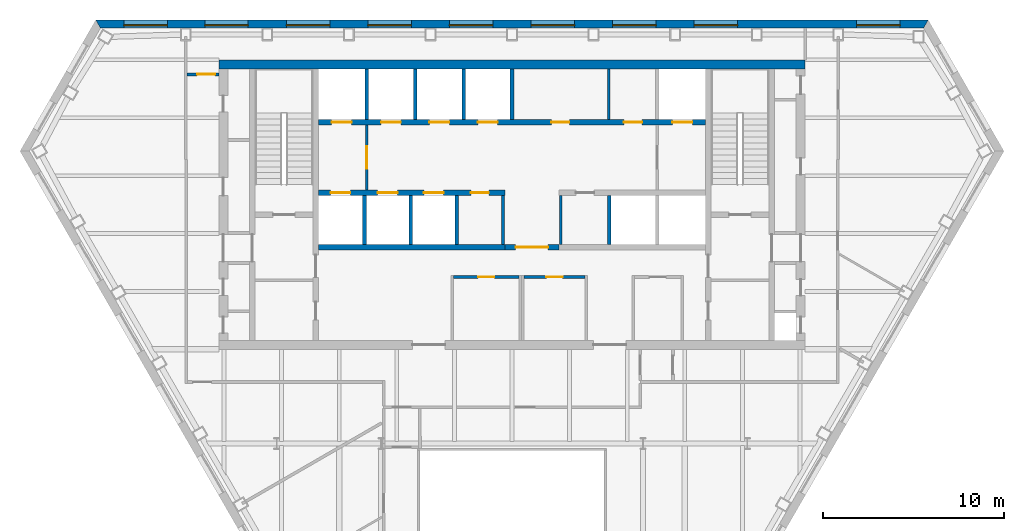
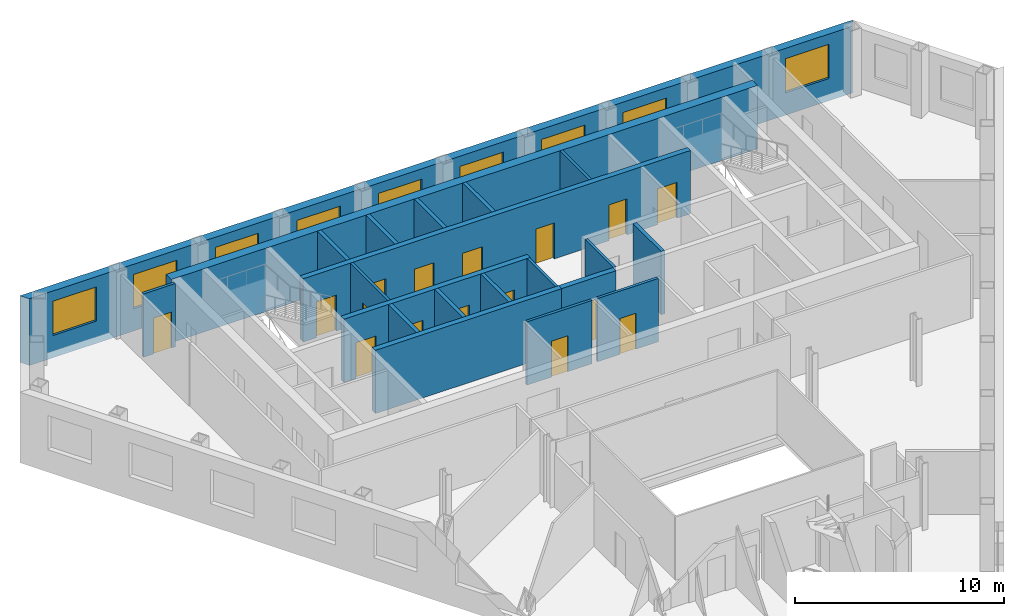
# One storey, part 6 of 10: 21 walls, 16 doors, 9 windows, 25 openings.
"""IFC4 building model written with IfcOpenShell, lengths in metres."""

from ifc_helpers import new_model, si_unit, direction, frame, frame_2d, origin, place, context, subcontext, project, spatial, polyline, rectangle, outline, extrude, material, layer, layer_set, type_object, element, fill, save


model = new_model("IFC4")

# Units and contexts
model_context = context("Model", 3, precision=1e-05, world=origin(), true_north=direction((0.0, 1.0)))
body_context = subcontext(model_context, "Body", "Model", "MODEL_VIEW")
ifc_project = project(units=[si_unit("LENGTHUNIT", "METRE"), si_unit("AREAUNIT", "SQUARE_METRE"), si_unit("VOLUMEUNIT", "CUBIC_METRE"), si_unit("PLANEANGLEUNIT", "RADIAN"), si_unit("MASSUNIT", "GRAM", prefix="KILO")], contexts=[model_context])

# Site, building, storey
site_placement = place(None, origin())
site = spatial("IfcSite", under=ifc_project, at=site_placement, CompositionType="ELEMENT")
building_placement = place(site_placement, origin())
building = spatial("IfcBuilding", under=site, at=building_placement, Name="Njiva Tower", CompositionType="ELEMENT")
storey_placement = place(building_placement, frame((0.0, 0.0, 171.0)))
storey = spatial("IfcBuildingStorey", under=building, at=storey_placement, Name="L37", CompositionType="ELEMENT", Elevation=171.0)

# Walls
ifc_material_1 = material(Name="Blockwork", Category="masonry")
ifc_layer_1 = layer(ifc_material_1, 0.15)
ifc_layer_set_1 = layer_set([ifc_layer_1], Name="Blockwork")
wall_type_1 = type_object("IfcWallType", Name="WT1 Compartment partition 150", PredefinedType="PARTITIONING", material=ifc_layer_set_1)
wall_1_placement = place(storey_placement, frame((5.35, 14.7, 0.0), z_axis=(0.0, 0.0, 1.0), x_axis=(0.0, 1.0, 0.0)))
element("IfcWall", 1, at=wall_1_placement, inside=storey, type_object=wall_type_1, Name="Partition CN6", PredefinedType="PARTITIONING", context=body_context, shape_type="SweptSolid", body=[
    extrude(rectangle(XDim=2.8, YDim=0.15, at=frame_2d((1.4, 0.0))), origin(), (0.0, 0.0, 1.0), 3.7),
])
for number, where, z_axis, x_axis, name in (
    (2, (-0.5, 7.8, 0.0), (0.0, 0.0, 1.0), (0.0, 1.0, 0.0), "Partition CS4"),
    (3, (2.7, 7.8, 0.0), (0.0, 0.0, 1.0), (0.0, 1.0, 0.0), "Partition CS5"),
):
    element("IfcWall", number, at=place(storey_placement, frame(where, z_axis=z_axis, x_axis=x_axis)), inside=storey, type_object=wall_type_1, Name=name, PredefinedType="PARTITIONING", context=body_context, shape_type="SweptSolid", body=[
        extrude(rectangle(XDim=2.7, YDim=0.15, at=frame_2d((1.35, 0.0))), origin(), (0.0, 0.0, 1.0), 3.7),
    ])

# Wall, opening, door
wall_2_placement = place(storey_placement, frame((-3.225, 6.0, 0.0), z_axis=(0.0, 0.0, 1.0), x_axis=(1.0, 0.0, 0.0)))
wall_2 = element("IfcWall", 4, at=wall_2_placement, inside=storey, type_object=wall_type_1, Name="First aid room wall north", PredefinedType="PARTITIONING", context=body_context, shape_type="SweptSolid", body=[
    extrude(rectangle(XDim=3.6, YDim=0.15, at=frame_2d((1.8, 0.0))), origin(), (0.0, 0.0, 1.0), 3.7),
])
opening_1_placement = place(wall_2_placement, frame((1.35, 0.0, 0.0)))
opening_1 = element("IfcOpeningElement", 5, at=opening_1_placement, cuts=wall_2, Name="Opening S12-D933", PredefinedType="OPENING", context=body_context, shape_type="SweptSolid", body=[
    extrude(rectangle(XDim=0.9, YDim=2.1, at=frame_2d((0.45, 1.05))), frame((0.0, 0.085, 0.0), z_axis=(0.0, -1.0, 0.0), x_axis=(1.0, 0.0, 0.0)), (0.0, 0.0, 1.0), 0.17),
])
ifc_material_2 = material(Name="Steel fire door, painted", Category="steel")
door_type_1 = type_object("IfcDoorType", Name="D6 Fire-rated door 900x2100", OperationType="SINGLE_SWING_LEFT", PredefinedType="DOOR", material=ifc_material_2)
door_1_placement = place(opening_1_placement, origin())
door_1 = element("IfcDoor", 6, at=door_1_placement, inside=storey, type_object=door_type_1, Name="First aid room door", OperationType="SINGLE_SWING_LEFT", OverallHeight=2.1, OverallWidth=0.9, PredefinedType="DOOR", context=body_context, shape_type="SweptSolid", body=[
    extrude(rectangle(XDim=0.9, YDim=2.1, at=frame_2d((0.45, 1.05))), frame((0.0, 0.025, 0.0), z_axis=(0.0, -1.0, 0.0), x_axis=(1.0, 0.0, 0.0)), (0.0, 0.0, 1.0), 0.05),
])
fill(opening_1, door_1)

wall_3_placement = place(storey_placement, frame((0.675, 6.0, 0.0), z_axis=(0.0, 0.0, 1.0), x_axis=(1.0, 0.0, 0.0)))
wall_3 = element("IfcWall", 7, at=wall_3_placement, inside=storey, type_object=wall_type_1, Name="Parcel room wall north", PredefinedType="PARTITIONING", context=body_context, shape_type="SweptSolid", body=[
    extrude(rectangle(XDim=3.35, YDim=0.15, at=frame_2d((1.675, 0.0))), origin(), (0.0, 0.0, 1.0), 3.7),
])
opening_2_placement = place(wall_3_placement, frame((1.225, 0.0, 0.0)))
opening_2 = element("IfcOpeningElement", 8, at=opening_2_placement, cuts=wall_3, Name="Opening S12-D934", PredefinedType="OPENING", context=body_context, shape_type="SweptSolid", body=[
    extrude(rectangle(XDim=0.9, YDim=2.1, at=frame_2d((0.45, 1.05))), frame((0.0, 0.085, 0.0), z_axis=(0.0, -1.0, 0.0), x_axis=(1.0, 0.0, 0.0)), (0.0, 0.0, 1.0), 0.17),
])
door_2_placement = place(opening_2_placement, origin())
door_2 = element("IfcDoor", 9, at=door_2_placement, inside=storey, type_object=door_type_1, Name="Parcel room door", OperationType="SINGLE_SWING_LEFT", OverallHeight=2.1, OverallWidth=0.9, PredefinedType="DOOR", context=body_context, shape_type="SweptSolid", body=[
    extrude(rectangle(XDim=0.9, YDim=2.1, at=frame_2d((0.45, 1.05))), frame((0.0, 0.025, 0.0), z_axis=(0.0, -1.0, 0.0), x_axis=(1.0, 0.0, 0.0)), (0.0, 0.0, 1.0), 0.05),
])
fill(opening_2, door_2)

# Wall
ifc_material_3 = material(Name="Concrete C60/75", Category="concrete")
ifc_layer_2 = layer(ifc_material_3, 0.5)
ifc_layer_set_2 = layer_set([ifc_layer_2], Name="Concrete C60/75")
wall_type_2 = type_object("IfcWallType", Name="WT13 Core wall 500", PredefinedType="SHEAR", material=ifc_layer_set_2)
wall_4_placement = place(storey_placement, frame((-16.2, 17.75, 0.0), z_axis=(0.0, 0.0, 1.0), x_axis=(1.0, 0.0, 0.0)))
element("IfcWall", 10, at=wall_4_placement, inside=storey, type_object=wall_type_2, Name="Core wall north", PredefinedType="SHEAR", context=body_context, shape_type="SweptSolid", body=[
    extrude(rectangle(XDim=32.4, YDim=0.5, at=frame_2d((16.2, 0.0))), origin(), (0.0, 0.0, 1.0), 3.7),
])

# Wall, opening, door
ifc_layer_3 = layer(ifc_material_1, 0.15)
ifc_layer_set_3 = layer_set([ifc_layer_3], Name="Blockwork")
wall_type_3 = type_object("IfcWallType", Name="WT2 Lobby partition 150", PredefinedType="PARTITIONING", material=ifc_layer_set_3)
wall_5_placement = place(storey_placement, frame((-8.025, 10.8, 0.0), z_axis=(0.0, 0.0, 1.0), x_axis=(0.0, 1.0, 0.0)))
wall_5 = element("IfcWall", 11, at=wall_5_placement, inside=storey, type_object=wall_type_3, Name="Firefighting lobby wall A", PredefinedType="PARTITIONING", context=body_context, shape_type="SweptSolid", body=[
    extrude(rectangle(XDim=3.6, YDim=0.15, at=frame_2d((1.8, 0.0))), origin(), (0.0, 0.0, 1.0), 3.7),
])
opening_3_placement = place(wall_5_placement, frame((1.175, 0.0, 0.0)))
opening_3 = element("IfcOpeningElement", 12, at=opening_3_placement, cuts=wall_5, Name="Opening S12-D913", PredefinedType="OPENING", context=body_context, shape_type="SweptSolid", body=[
    extrude(rectangle(XDim=1.25, YDim=2.1, at=frame_2d((0.625, 1.05))), frame((0.0, 0.085, 0.0), z_axis=(0.0, -1.0, 0.0), x_axis=(1.0, 0.0, 0.0)), (0.0, 0.0, 1.0), 0.17),
])
ifc_material_4 = material(Name="Glazed steel fire door", Category="steel")
door_type_2 = type_object("IfcDoorType", Name="D8 Vestibule corridor door 1250x2100 glazed", OperationType="SINGLE_SWING_LEFT", PredefinedType="DOOR", material=ifc_material_4)
door_3_placement = place(opening_3_placement, origin())
door_3 = element("IfcDoor", 13, at=door_3_placement, inside=storey, type_object=door_type_2, Name="Stair vestibule corridor door", OperationType="SINGLE_SWING_RIGHT", OverallHeight=2.1, OverallWidth=1.25, PredefinedType="DOOR", context=body_context, shape_type="SweptSolid", body=[
    extrude(rectangle(XDim=1.25, YDim=2.1, at=frame_2d((0.625, 1.05))), frame((0.0, 0.025, 0.0), z_axis=(0.0, -1.0, 0.0), x_axis=(1.0, 0.0, 0.0)), (0.0, 0.0, 1.0), 0.05),
])
fill(opening_3, door_3)

ifc_material_5 = material(Name="Gypsum board on steel studs", Category="gypsum")
ifc_layer_4 = layer(ifc_material_5, 0.15)
ifc_layer_set_4 = layer_set([ifc_layer_4], Name="Gypsum board on steel studs")
wall_type_4 = type_object("IfcWallType", Name="WT21 Compartment wall 150", PredefinedType="PARTITIONING", material=ifc_layer_set_4)
wall_6_placement = place(storey_placement, frame((-17.956, 17.193, 0.0), z_axis=(0.0, 0.0, 1.0), x_axis=(1.0, 0.0, 0.0)))
wall_6 = element("IfcWall", 14, at=wall_6_placement, inside=storey, type_object=wall_type_4, Name="Partition S12-P003", PredefinedType="PARTITIONING", context=body_context, shape_type="SweptSolid", body=[
    extrude(rectangle(XDim=1.756, YDim=0.15, at=frame_2d((0.878, 0.0))), origin(), (0.0, 0.0, 1.0), 3.7),
])
opening_4_placement = place(wall_6_placement, frame((0.556, 0.0, 0.0)))
opening_4 = element("IfcOpeningElement", 15, at=opening_4_placement, cuts=wall_6, Name="Opening S12-D001", PredefinedType="OPENING", context=body_context, shape_type="SweptSolid", body=[
    extrude(rectangle(XDim=1.0, YDim=2.1, at=frame_2d((0.5, 1.05))), frame((0.0, 0.085, 0.0), z_axis=(0.0, -1.0, 0.0), x_axis=(1.0, 0.0, 0.0)), (0.0, 0.0, 1.0), 0.17),
])
ifc_material_6 = material(Name="Steel fire door set", Category="steel")
door_type_3 = type_object("IfcDoorType", Name="D37 Fire door 1000x2100", OperationType="SINGLE_SWING_LEFT", PredefinedType="DOOR", material=ifc_material_6)
door_4_placement = place(opening_4_placement, origin())
door_4 = element("IfcDoor", 16, at=door_4_placement, inside=storey, type_object=door_type_3, Name="Door S12-D001", OperationType="SINGLE_SWING_LEFT", OverallHeight=2.1, OverallWidth=1.0, PredefinedType="DOOR", context=body_context, shape_type="SweptSolid", body=[
    extrude(rectangle(XDim=1.0, YDim=2.1, at=frame_2d((0.5, 1.05))), frame((0.0, 0.025, 0.0), z_axis=(0.0, -1.0, 0.0), x_axis=(1.0, 0.0, 0.0)), (0.0, 0.0, 1.0), 0.05),
])
fill(opening_4, door_4)

ifc_layer_5 = layer(ifc_material_1, 0.3)
ifc_layer_set_5 = layer_set([ifc_layer_5], Name="Blockwork")
wall_type_5 = type_object("IfcWallType", Name="WT5 Lobby partition 300", PredefinedType="PARTITIONING", material=ifc_layer_set_5)
wall_7_placement = place(storey_placement, frame((-0.4, 7.65, 0.0), z_axis=(0.0, 0.0, 1.0), x_axis=(1.0, 0.0, 0.0)))
wall_7 = element("IfcWall", 17, at=wall_7_placement, inside=storey, type_object=wall_type_5, Name="Lift lobby screen wall", PredefinedType="PARTITIONING", context=body_context, shape_type="SweptSolid", body=[
    extrude(rectangle(XDim=3.0, YDim=0.3, at=frame_2d((1.5, 0.0))), origin(), (0.0, 0.0, 1.0), 3.7),
])
opening_5_placement = place(wall_7_placement, frame((0.6, 0.0, 0.0)))
opening_5 = element("IfcOpeningElement", 18, at=opening_5_placement, cuts=wall_7, Name="Opening S12-D936", PredefinedType="OPENING", context=body_context, shape_type="SweptSolid", body=[
    extrude(rectangle(XDim=1.8, YDim=2.4, at=frame_2d((0.9, 1.2))), frame((0.0, 0.16, 0.0), z_axis=(0.0, -1.0, 0.0), x_axis=(1.0, 0.0, 0.0)), (0.0, 0.0, 1.0), 0.32),
])
ifc_material_7 = material(Name="Steel and glass door", Category="steel")
door_type_4 = type_object("IfcDoorType", Name="D3 Core entrance door 1800x2400", OperationType="DOUBLE_DOOR_SINGLE_SWING", PredefinedType="DOOR", material=ifc_material_7)
door_5_placement = place(opening_5_placement, origin())
door_5 = element("IfcDoor", 19, at=door_5_placement, inside=storey, type_object=door_type_4, Name="Core entrance door", OperationType="DOUBLE_DOOR_SINGLE_SWING", OverallHeight=2.4, OverallWidth=1.8, PredefinedType="DOOR", context=body_context, shape_type="SweptSolid", body=[
    extrude(rectangle(XDim=1.8, YDim=2.4, at=frame_2d((0.9, 1.2))), frame((0.0, 0.025, 0.0), z_axis=(0.0, -1.0, 0.0), x_axis=(1.0, 0.0, 0.0)), (0.0, 0.0, 1.0), 0.05),
])
fill(opening_5, door_5)

# Walls
ifc_material_8 = material(Name="Concrete C40/50", Category="concrete")
ifc_layer_6 = layer(ifc_material_8, 0.2)
ifc_layer_set_6 = layer_set([ifc_layer_6], Name="Concrete C40/50")
wall_type_6 = type_object("IfcWallType", Name="WT6 Lift shaft wall 200", PredefinedType="SHEAR", material=ifc_layer_set_6)
for number, where, z_axis, x_axis, name in (
    (20, (-8.025, 14.7, 0.0), (0.0, 0.0, 1.0), (0.0, 1.0, 0.0), "Shaft wall CN1"),
    (21, (-5.35, 14.7, 0.0), (0.0, 0.0, 1.0), (0.0, 1.0, 0.0), "Shaft wall CN2"),
    (22, (-2.675, 14.7, 0.0), (0.0, 0.0, 1.0), (0.0, 1.0, 0.0), "Shaft wall CN3"),
    (23, (0.0, 14.7, 0.0), (0.0, 0.0, 1.0), (0.0, 1.0, 0.0), "Shaft wall CN4"),
):
    element("IfcWall", number, at=place(storey_placement, frame(where, z_axis=z_axis, x_axis=x_axis)), inside=storey, type_object=wall_type_6, Name=name, PredefinedType="SHEAR", context=body_context, shape_type="SweptSolid", body=[
        extrude(rectangle(XDim=2.8, YDim=0.2, at=frame_2d((1.4, 0.0))), origin(), (0.0, 0.0, 1.0), 3.7),
    ])
for number, where, z_axis, x_axis, name in (
    (24, (-8.15, 7.8, 0.0), (0.0, 0.0, 1.0), (0.0, 1.0, 0.0), "Shaft wall CS1"),
    (25, (-5.6, 7.8, 0.0), (0.0, 0.0, 1.0), (0.0, 1.0, 0.0), "Shaft wall CS2"),
    (26, (-3.05, 7.8, 0.0), (0.0, 0.0, 1.0), (0.0, 1.0, 0.0), "Shaft wall CS3"),
    (27, (5.3667, 7.8, 0.0), (0.0, 0.0, 1.0), (0.0, 1.0, 0.0), "Shaft wall CS6"),
):
    element("IfcWall", number, at=place(storey_placement, frame(where, z_axis=z_axis, x_axis=x_axis)), inside=storey, type_object=wall_type_6, Name=name, PredefinedType="SHEAR", context=body_context, shape_type="SweptSolid", body=[
        extrude(rectangle(XDim=2.7, YDim=0.2, at=frame_2d((1.35, 0.0))), origin(), (0.0, 0.0, 1.0), 3.7),
    ])

# Wall, openings, doors
ifc_layer_7 = layer(ifc_material_8, 0.3)
ifc_layer_set_7 = layer_set([ifc_layer_7], Name="Concrete C40/50")
wall_type_7 = type_object("IfcWallType", Name="WT7 Lift shaft wall 300", PredefinedType="SHEAR", material=ifc_layer_set_7)
wall_8_placement = place(storey_placement, frame((-10.7, 14.55, 0.0), z_axis=(0.0, 0.0, 1.0), x_axis=(1.0, 0.0, 0.0)))
wall_8 = element("IfcWall", 28, at=wall_8_placement, inside=storey, type_object=wall_type_7, Name="Shaft wall north row lobby side", PredefinedType="SHEAR", context=body_context, shape_type="SweptSolid", body=[
    extrude(rectangle(XDim=21.4, YDim=0.3, at=frame_2d((10.7, 0.0))), origin(), (0.0, 0.0, 1.0), 3.7),
])
opening_6_placement = place(wall_8_placement, frame((0.7375, 0.0, 0.0)))
opening_6 = element("IfcOpeningElement", 29, at=opening_6_placement, cuts=wall_8, Name="Opening S12-D901", PredefinedType="OPENING", context=body_context, shape_type="SweptSolid", body=[
    extrude(rectangle(XDim=1.1, YDim=2.1, at=frame_2d((0.55, 1.05))), frame((0.0, 0.16, 0.0), z_axis=(0.0, -1.0, 0.0), x_axis=(1.0, 0.0, 0.0)), (0.0, 0.0, 1.0), 0.32),
])
opening_7_placement = place(wall_8_placement, frame((3.4625, 0.0, 0.0)))
opening_7 = element("IfcOpeningElement", 30, at=opening_7_placement, cuts=wall_8, Name="Opening S12-D902", PredefinedType="OPENING", context=body_context, shape_type="SweptSolid", body=[
    extrude(rectangle(XDim=1.1, YDim=2.1, at=frame_2d((0.55, 1.05))), frame((0.0, 0.16, 0.0), z_axis=(0.0, -1.0, 0.0), x_axis=(1.0, 0.0, 0.0)), (0.0, 0.0, 1.0), 0.32),
])
opening_8_placement = place(wall_8_placement, frame((6.1375, 0.0, 0.0)))
opening_8 = element("IfcOpeningElement", 31, at=opening_8_placement, cuts=wall_8, Name="Opening S12-D903", PredefinedType="OPENING", context=body_context, shape_type="SweptSolid", body=[
    extrude(rectangle(XDim=1.1, YDim=2.1, at=frame_2d((0.55, 1.05))), frame((0.0, 0.16, 0.0), z_axis=(0.0, -1.0, 0.0), x_axis=(1.0, 0.0, 0.0)), (0.0, 0.0, 1.0), 0.32),
])
opening_9_placement = place(wall_8_placement, frame((8.8125, 0.0, 0.0)))
opening_9 = element("IfcOpeningElement", 32, at=opening_9_placement, cuts=wall_8, Name="Opening S12-D904", PredefinedType="OPENING", context=body_context, shape_type="SweptSolid", body=[
    extrude(rectangle(XDim=1.1, YDim=2.1, at=frame_2d((0.55, 1.05))), frame((0.0, 0.16, 0.0), z_axis=(0.0, -1.0, 0.0), x_axis=(1.0, 0.0, 0.0)), (0.0, 0.0, 1.0), 0.32),
])
opening_10_placement = place(wall_8_placement, frame((19.5625, 0.0, 0.0)))
opening_10 = element("IfcOpeningElement", 33, at=opening_10_placement, cuts=wall_8, Name="Opening S12-D905", PredefinedType="OPENING", context=body_context, shape_type="SweptSolid", body=[
    extrude(rectangle(XDim=1.1, YDim=2.1, at=frame_2d((0.55, 1.05))), frame((0.0, 0.16, 0.0), z_axis=(0.0, -1.0, 0.0), x_axis=(1.0, 0.0, 0.0)), (0.0, 0.0, 1.0), 0.32),
])
opening_11_placement = place(wall_8_placement, frame((12.875, 0.0, 0.0)))
opening_11 = element("IfcOpeningElement", 34, at=opening_11_placement, cuts=wall_8, Name="Opening S12-D909", PredefinedType="OPENING", context=body_context, shape_type="SweptSolid", body=[
    extrude(rectangle(XDim=1.0, YDim=2.1, at=frame_2d((0.5, 1.05))), frame((0.0, 0.16, 0.0), z_axis=(0.0, -1.0, 0.0), x_axis=(1.0, 0.0, 0.0)), (0.0, 0.0, 1.0), 0.32),
])
opening_12_placement = place(wall_8_placement, frame((16.8875, 0.0, 0.0)))
opening_12 = element("IfcOpeningElement", 35, at=opening_12_placement, cuts=wall_8, Name="Opening S12-D910", PredefinedType="OPENING", context=body_context, shape_type="SweptSolid", body=[
    extrude(rectangle(XDim=1.0, YDim=2.1, at=frame_2d((0.5, 1.05))), frame((0.0, 0.16, 0.0), z_axis=(0.0, -1.0, 0.0), x_axis=(1.0, 0.0, 0.0)), (0.0, 0.0, 1.0), 0.32),
])
ifc_material_9 = material(Name="Steel door, painted", Category="steel")
door_type_5 = type_object("IfcDoorType", Name="D5 Steel door 1000x2100", OperationType="SINGLE_SWING_LEFT", PredefinedType="DOOR", material=ifc_material_9)
door_6_placement = place(opening_11_placement, origin())
door_6 = element("IfcDoor", 36, at=door_6_placement, inside=storey, type_object=door_type_5, Name="Breakout room door", OperationType="SINGLE_SWING_LEFT", OverallHeight=2.1, OverallWidth=1.0, PredefinedType="DOOR", context=body_context, shape_type="SweptSolid", body=[
    extrude(rectangle(XDim=1.0, YDim=2.1, at=frame_2d((0.5, 1.05))), frame((0.0, 0.025, 0.0), z_axis=(0.0, -1.0, 0.0), x_axis=(1.0, 0.0, 0.0)), (0.0, 0.0, 1.0), 0.05),
])
fill(opening_11, door_6)
door_7_placement = place(opening_12_placement, origin())
door_7 = element("IfcDoor", 37, at=door_7_placement, inside=storey, type_object=door_type_5, Name="Quiet room door", OperationType="SINGLE_SWING_LEFT", OverallHeight=2.1, OverallWidth=1.0, PredefinedType="DOOR", context=body_context, shape_type="SweptSolid", body=[
    extrude(rectangle(XDim=1.0, YDim=2.1, at=frame_2d((0.5, 1.05))), frame((0.0, 0.025, 0.0), z_axis=(0.0, -1.0, 0.0), x_axis=(1.0, 0.0, 0.0)), (0.0, 0.0, 1.0), 0.05),
])
fill(opening_12, door_7)
ifc_material_10 = material(Name="Stainless steel sliding door", Category="steel")
door_type_6 = type_object("IfcDoorType", Name="LD Lift landing door 1100x2100", OperationType="SLIDING_TO_LEFT", PredefinedType="DOOR", material=ifc_material_10)
door_8_placement = place(opening_6_placement, origin())
door_8 = element("IfcDoor", 38, at=door_8_placement, inside=storey, type_object=door_type_6, Name="Lift landing door FF1", OperationType="SLIDING_TO_LEFT", OverallHeight=2.1, OverallWidth=1.1, PredefinedType="DOOR", context=body_context, shape_type="SweptSolid", body=[
    extrude(rectangle(XDim=1.1, YDim=2.1, at=frame_2d((0.55, 1.05))), frame((0.0, 0.025, 0.0), z_axis=(0.0, -1.0, 0.0), x_axis=(1.0, 0.0, 0.0)), (0.0, 0.0, 1.0), 0.05),
])
fill(opening_6, door_8)
door_9_placement = place(opening_7_placement, origin())
door_9 = element("IfcDoor", 39, at=door_9_placement, inside=storey, type_object=door_type_6, Name="Lift landing door MB4", OperationType="SLIDING_TO_LEFT", OverallHeight=2.1, OverallWidth=1.1, PredefinedType="DOOR", context=body_context, shape_type="SweptSolid", body=[
    extrude(rectangle(XDim=1.1, YDim=2.1, at=frame_2d((0.55, 1.05))), frame((0.0, 0.025, 0.0), z_axis=(0.0, -1.0, 0.0), x_axis=(1.0, 0.0, 0.0)), (0.0, 0.0, 1.0), 0.05),
])
fill(opening_7, door_9)
door_10_placement = place(opening_8_placement, origin())
door_10 = element("IfcDoor", 40, at=door_10_placement, inside=storey, type_object=door_type_6, Name="Lift landing door MB5", OperationType="SLIDING_TO_LEFT", OverallHeight=2.1, OverallWidth=1.1, PredefinedType="DOOR", context=body_context, shape_type="SweptSolid", body=[
    extrude(rectangle(XDim=1.1, YDim=2.1, at=frame_2d((0.55, 1.05))), frame((0.0, 0.025, 0.0), z_axis=(0.0, -1.0, 0.0), x_axis=(1.0, 0.0, 0.0)), (0.0, 0.0, 1.0), 0.05),
])
fill(opening_8, door_10)
door_11_placement = place(opening_9_placement, origin())
door_11 = element("IfcDoor", 41, at=door_11_placement, inside=storey, type_object=door_type_6, Name="Lift landing door MB6", OperationType="SLIDING_TO_LEFT", OverallHeight=2.1, OverallWidth=1.1, PredefinedType="DOOR", context=body_context, shape_type="SweptSolid", body=[
    extrude(rectangle(XDim=1.1, YDim=2.1, at=frame_2d((0.55, 1.05))), frame((0.0, 0.025, 0.0), z_axis=(0.0, -1.0, 0.0), x_axis=(1.0, 0.0, 0.0)), (0.0, 0.0, 1.0), 0.05),
])
fill(opening_9, door_11)
door_12_placement = place(opening_10_placement, origin())
door_12 = element("IfcDoor", 42, at=door_12_placement, inside=storey, type_object=door_type_6, Name="Lift landing door FF2", OperationType="SLIDING_TO_LEFT", OverallHeight=2.1, OverallWidth=1.1, PredefinedType="DOOR", context=body_context, shape_type="SweptSolid", body=[
    extrude(rectangle(XDim=1.1, YDim=2.1, at=frame_2d((0.55, 1.05))), frame((0.0, 0.025, 0.0), z_axis=(0.0, -1.0, 0.0), x_axis=(1.0, 0.0, 0.0)), (0.0, 0.0, 1.0), 0.05),
])
fill(opening_10, door_12)

wall_9_placement = place(storey_placement, frame((-10.7, 10.65, 0.0), z_axis=(0.0, 0.0, 1.0), x_axis=(1.0, 0.0, 0.0)))
wall_9 = element("IfcWall", 43, at=wall_9_placement, inside=storey, type_object=wall_type_7, Name="Shaft wall south row lobby side W", PredefinedType="SHEAR", context=body_context, shape_type="SweptSolid", body=[
    extrude(rectangle(XDim=10.3, YDim=0.3, at=frame_2d((5.15, 0.0))), origin(), (0.0, 0.0, 1.0), 3.7),
])
opening_13_placement = place(wall_9_placement, frame((0.675, 0.0, 0.0)))
opening_13 = element("IfcOpeningElement", 44, at=opening_13_placement, cuts=wall_9, Name="Opening S12-D906", PredefinedType="OPENING", context=body_context, shape_type="SweptSolid", body=[
    extrude(rectangle(XDim=1.1, YDim=2.1, at=frame_2d((0.55, 1.05))), frame((0.0, 0.16, 0.0), z_axis=(0.0, -1.0, 0.0), x_axis=(1.0, 0.0, 0.0)), (0.0, 0.0, 1.0), 0.32),
])
opening_14_placement = place(wall_9_placement, frame((3.275, 0.0, 0.0)))
opening_14 = element("IfcOpeningElement", 45, at=opening_14_placement, cuts=wall_9, Name="Opening S12-D907", PredefinedType="OPENING", context=body_context, shape_type="SweptSolid", body=[
    extrude(rectangle(XDim=1.1, YDim=2.1, at=frame_2d((0.55, 1.05))), frame((0.0, 0.16, 0.0), z_axis=(0.0, -1.0, 0.0), x_axis=(1.0, 0.0, 0.0)), (0.0, 0.0, 1.0), 0.32),
])
opening_15_placement = place(wall_9_placement, frame((5.825, 0.0, 0.0)))
opening_15 = element("IfcOpeningElement", 46, at=opening_15_placement, cuts=wall_9, Name="Opening S12-D908", PredefinedType="OPENING", context=body_context, shape_type="SweptSolid", body=[
    extrude(rectangle(XDim=1.1, YDim=2.1, at=frame_2d((0.55, 1.05))), frame((0.0, 0.16, 0.0), z_axis=(0.0, -1.0, 0.0), x_axis=(1.0, 0.0, 0.0)), (0.0, 0.0, 1.0), 0.32),
])
opening_16_placement = place(wall_9_placement, frame((8.425, 0.0, 0.0)))
opening_16 = element("IfcOpeningElement", 47, at=opening_16_placement, cuts=wall_9, Name="Opening S12-D911", PredefinedType="OPENING", context=body_context, shape_type="SweptSolid", body=[
    extrude(rectangle(XDim=1.0, YDim=2.1, at=frame_2d((0.5, 1.05))), frame((0.0, 0.16, 0.0), z_axis=(0.0, -1.0, 0.0), x_axis=(1.0, 0.0, 0.0)), (0.0, 0.0, 1.0), 0.32),
])
door_13_placement = place(opening_16_placement, origin())
door_13 = element("IfcDoor", 48, at=door_13_placement, inside=storey, type_object=door_type_5, Name="Reading room door", OperationType="SINGLE_SWING_RIGHT", OverallHeight=2.1, OverallWidth=1.0, PredefinedType="DOOR", context=body_context, shape_type="SweptSolid", body=[
    extrude(rectangle(XDim=1.0, YDim=2.1, at=frame_2d((0.5, 1.05))), frame((0.0, 0.025, 0.0), z_axis=(0.0, -1.0, 0.0), x_axis=(1.0, 0.0, 0.0)), (0.0, 0.0, 1.0), 0.05),
])
fill(opening_16, door_13)
door_14_placement = place(opening_13_placement, origin())
door_14 = element("IfcDoor", 49, at=door_14_placement, inside=storey, type_object=door_type_6, Name="Lift landing door MB1", OperationType="SLIDING_TO_LEFT", OverallHeight=2.1, OverallWidth=1.1, PredefinedType="DOOR", context=body_context, shape_type="SweptSolid", body=[
    extrude(rectangle(XDim=1.1, YDim=2.1, at=frame_2d((0.55, 1.05))), frame((0.0, 0.025, 0.0), z_axis=(0.0, -1.0, 0.0), x_axis=(1.0, 0.0, 0.0)), (0.0, 0.0, 1.0), 0.05),
])
fill(opening_13, door_14)
door_15_placement = place(opening_14_placement, origin())
door_15 = element("IfcDoor", 50, at=door_15_placement, inside=storey, type_object=door_type_6, Name="Lift landing door MB2", OperationType="SLIDING_TO_LEFT", OverallHeight=2.1, OverallWidth=1.1, PredefinedType="DOOR", context=body_context, shape_type="SweptSolid", body=[
    extrude(rectangle(XDim=1.1, YDim=2.1, at=frame_2d((0.55, 1.05))), frame((0.0, 0.025, 0.0), z_axis=(0.0, -1.0, 0.0), x_axis=(1.0, 0.0, 0.0)), (0.0, 0.0, 1.0), 0.05),
])
fill(opening_14, door_15)
door_16_placement = place(opening_15_placement, origin())
door_16 = element("IfcDoor", 51, at=door_16_placement, inside=storey, type_object=door_type_6, Name="Lift landing door MB3", OperationType="SLIDING_TO_LEFT", OverallHeight=2.1, OverallWidth=1.1, PredefinedType="DOOR", context=body_context, shape_type="SweptSolid", body=[
    extrude(rectangle(XDim=1.1, YDim=2.1, at=frame_2d((0.55, 1.05))), frame((0.0, 0.025, 0.0), z_axis=(0.0, -1.0, 0.0), x_axis=(1.0, 0.0, 0.0)), (0.0, 0.0, 1.0), 0.05),
])
fill(opening_15, door_16)

# Wall
wall_10_placement = place(storey_placement, frame((-10.7, 7.65, 0.0), z_axis=(0.0, 0.0, 1.0), x_axis=(1.0, 0.0, 0.0)))
element("IfcWall", 52, at=wall_10_placement, inside=storey, type_object=wall_type_7, Name="Shaft wall south row back W", PredefinedType="SHEAR", context=body_context, shape_type="SweptSolid", body=[
    extrude(rectangle(XDim=10.3, YDim=0.3, at=frame_2d((5.15, 0.0))), origin(), (0.0, 0.0, 1.0), 3.7),
])

# Wall, openings, windows
ifc_material_11 = material(Name="Brick masonry", Category="masonry")
ifc_layer_8 = layer(ifc_material_11, 0.45)
ifc_layer_set_8 = layer_set([ifc_layer_8], Name="Brick masonry")
wall_type_8 = type_object("IfcWallType", Name="WT90 Brick pier and spandrel wall 450", PredefinedType="SOLIDWALL", material=ifc_layer_set_8)
wall_11_placement = place(storey_placement, frame((22.8701, 19.975, -0.4), z_axis=(0.0, 0.0, 1.0), x_axis=(-1.0, 0.0, 0.0)))
wall_11 = element("IfcWall", 53, at=wall_11_placement, inside=storey, type_object=wall_type_8, Name="Facade wall N", PredefinedType="SOLIDWALL", context=body_context, shape_type="SweptSolid", body=[
    extrude(outline(polyline([(-0.1299, -0.225), (45.8701, -0.225), (45.6103, 0.225), (0.1299, 0.225), (-0.1299, -0.225)])), origin(), (0.0, 0.0, 1.0), 3.9),
])
opening_17_placement = place(wall_11_placement, frame((1.4242, 0.0, 1.3)))
opening_17 = element("IfcOpeningElement", 54, at=opening_17_placement, cuts=wall_11, Name="Opening S12-W01", PredefinedType="OPENING", context=body_context, shape_type="SweptSolid", body=[
    extrude(rectangle(XDim=2.4, YDim=2.0, at=frame_2d((1.2, 1.0))), frame((0.0, 0.235, 0.0), z_axis=(0.0, -1.0, 0.0), x_axis=(1.0, 0.0, 0.0)), (0.0, 0.0, 1.0), 0.47),
])
opening_18_placement = place(wall_11_placement, frame((10.401, 0.0, 1.3)))
opening_18 = element("IfcOpeningElement", 55, at=opening_18_placement, cuts=wall_11, Name="Opening S12-W02", PredefinedType="OPENING", context=body_context, shape_type="SweptSolid", body=[
    extrude(rectangle(XDim=2.4, YDim=2.0, at=frame_2d((1.2, 1.0))), frame((0.0, 0.235, 0.0), z_axis=(0.0, -1.0, 0.0), x_axis=(1.0, 0.0, 0.0)), (0.0, 0.0, 1.0), 0.47),
])
opening_19_placement = place(wall_11_placement, frame((14.9087, 0.0, 1.3)))
opening_19 = element("IfcOpeningElement", 56, at=opening_19_placement, cuts=wall_11, Name="Opening S12-W03", PredefinedType="OPENING", context=body_context, shape_type="SweptSolid", body=[
    extrude(rectangle(XDim=2.4, YDim=2.0, at=frame_2d((1.2, 1.0))), frame((0.0, 0.235, 0.0), z_axis=(0.0, -1.0, 0.0), x_axis=(1.0, 0.0, 0.0)), (0.0, 0.0, 1.0), 0.47),
])
opening_20_placement = place(wall_11_placement, frame((19.4163, 0.0, 1.3)))
opening_20 = element("IfcOpeningElement", 57, at=opening_20_placement, cuts=wall_11, Name="Opening S12-W04", PredefinedType="OPENING", context=body_context, shape_type="SweptSolid", body=[
    extrude(rectangle(XDim=2.4, YDim=2.0, at=frame_2d((1.2, 1.0))), frame((0.0, 0.235, 0.0), z_axis=(0.0, -1.0, 0.0), x_axis=(1.0, 0.0, 0.0)), (0.0, 0.0, 1.0), 0.47),
])
opening_21_placement = place(wall_11_placement, frame((23.9239, 0.0, 1.3)))
opening_21 = element("IfcOpeningElement", 58, at=opening_21_placement, cuts=wall_11, Name="Opening S12-W05", PredefinedType="OPENING", context=body_context, shape_type="SweptSolid", body=[
    extrude(rectangle(XDim=2.4, YDim=2.0, at=frame_2d((1.2, 1.0))), frame((0.0, 0.235, 0.0), z_axis=(0.0, -1.0, 0.0), x_axis=(1.0, 0.0, 0.0)), (0.0, 0.0, 1.0), 0.47),
])
opening_22_placement = place(wall_11_placement, frame((28.4315, 0.0, 1.3)))
opening_22 = element("IfcOpeningElement", 59, at=opening_22_placement, cuts=wall_11, Name="Opening S12-W06", PredefinedType="OPENING", context=body_context, shape_type="SweptSolid", body=[
    extrude(rectangle(XDim=2.4, YDim=2.0, at=frame_2d((1.2, 1.0))), frame((0.0, 0.235, 0.0), z_axis=(0.0, -1.0, 0.0), x_axis=(1.0, 0.0, 0.0)), (0.0, 0.0, 1.0), 0.47),
])
opening_23_placement = place(wall_11_placement, frame((32.9391, 0.0, 1.3)))
opening_23 = element("IfcOpeningElement", 60, at=opening_23_placement, cuts=wall_11, Name="Opening S12-W07", PredefinedType="OPENING", context=body_context, shape_type="SweptSolid", body=[
    extrude(rectangle(XDim=2.4, YDim=2.0, at=frame_2d((1.2, 1.0))), frame((0.0, 0.235, 0.0), z_axis=(0.0, -1.0, 0.0), x_axis=(1.0, 0.0, 0.0)), (0.0, 0.0, 1.0), 0.47),
])
opening_24_placement = place(wall_11_placement, frame((37.4468, 0.0, 1.3)))
opening_24 = element("IfcOpeningElement", 61, at=opening_24_placement, cuts=wall_11, Name="Opening S12-W08", PredefinedType="OPENING", context=body_context, shape_type="SweptSolid", body=[
    extrude(rectangle(XDim=2.4, YDim=2.0, at=frame_2d((1.2, 1.0))), frame((0.0, 0.235, 0.0), z_axis=(0.0, -1.0, 0.0), x_axis=(1.0, 0.0, 0.0)), (0.0, 0.0, 1.0), 0.47),
])
opening_25_placement = place(wall_11_placement, frame((41.916, 0.0, 1.3)))
opening_25 = element("IfcOpeningElement", 62, at=opening_25_placement, cuts=wall_11, Name="Opening S12-W09", PredefinedType="OPENING", context=body_context, shape_type="SweptSolid", body=[
    extrude(rectangle(XDim=2.4, YDim=2.0, at=frame_2d((1.2, 1.0))), frame((0.0, 0.235, 0.0), z_axis=(0.0, -1.0, 0.0), x_axis=(1.0, 0.0, 0.0)), (0.0, 0.0, 1.0), 0.47),
])
ifc_material_12 = material(Name="Clear glazing in aluminium frame", Category="aluminium")
window_type = type_object("IfcWindowType", Name="W90 Deep-set window 2400x2000", PartitioningType="SINGLE_PANEL", PredefinedType="WINDOW", material=ifc_material_12)
window_1_placement = place(opening_17_placement, origin())
window_1 = element("IfcWindow", 63, at=window_1_placement, inside=storey, type_object=window_type, Name="Window", OverallHeight=2.0, OverallWidth=2.4, PartitioningType="SINGLE_PANEL", PredefinedType="WINDOW", context=body_context, shape_type="SweptSolid", body=[
    extrude(rectangle(XDim=2.4, YDim=2.0, at=frame_2d((1.2, 1.0))), frame((0.0, 0.105, 0.0), z_axis=(0.0, -1.0, 0.0), x_axis=(1.0, 0.0, 0.0)), (0.0, 0.0, 1.0), 0.06),
])
fill(opening_17, window_1)
window_2_placement = place(opening_18_placement, origin())
window_2 = element("IfcWindow", 64, at=window_2_placement, inside=storey, type_object=window_type, Name="Window", OverallHeight=2.0, OverallWidth=2.4, PartitioningType="SINGLE_PANEL", PredefinedType="WINDOW", context=body_context, shape_type="SweptSolid", body=[
    extrude(rectangle(XDim=2.4, YDim=2.0, at=frame_2d((1.2, 1.0))), frame((0.0, 0.105, 0.0), z_axis=(0.0, -1.0, 0.0), x_axis=(1.0, 0.0, 0.0)), (0.0, 0.0, 1.0), 0.06),
])
fill(opening_18, window_2)
window_3_placement = place(opening_19_placement, origin())
window_3 = element("IfcWindow", 65, at=window_3_placement, inside=storey, type_object=window_type, Name="Window", OverallHeight=2.0, OverallWidth=2.4, PartitioningType="SINGLE_PANEL", PredefinedType="WINDOW", context=body_context, shape_type="SweptSolid", body=[
    extrude(rectangle(XDim=2.4, YDim=2.0, at=frame_2d((1.2, 1.0))), frame((0.0, 0.105, 0.0), z_axis=(0.0, -1.0, 0.0), x_axis=(1.0, 0.0, 0.0)), (0.0, 0.0, 1.0), 0.06),
])
fill(opening_19, window_3)
window_4_placement = place(opening_20_placement, origin())
window_4 = element("IfcWindow", 66, at=window_4_placement, inside=storey, type_object=window_type, Name="Window", OverallHeight=2.0, OverallWidth=2.4, PartitioningType="SINGLE_PANEL", PredefinedType="WINDOW", context=body_context, shape_type="SweptSolid", body=[
    extrude(rectangle(XDim=2.4, YDim=2.0, at=frame_2d((1.2, 1.0))), frame((0.0, 0.105, 0.0), z_axis=(0.0, -1.0, 0.0), x_axis=(1.0, 0.0, 0.0)), (0.0, 0.0, 1.0), 0.06),
])
fill(opening_20, window_4)
window_5_placement = place(opening_21_placement, origin())
window_5 = element("IfcWindow", 67, at=window_5_placement, inside=storey, type_object=window_type, Name="Window", OverallHeight=2.0, OverallWidth=2.4, PartitioningType="SINGLE_PANEL", PredefinedType="WINDOW", context=body_context, shape_type="SweptSolid", body=[
    extrude(rectangle(XDim=2.4, YDim=2.0, at=frame_2d((1.2, 1.0))), frame((0.0, 0.105, 0.0), z_axis=(0.0, -1.0, 0.0), x_axis=(1.0, 0.0, 0.0)), (0.0, 0.0, 1.0), 0.06),
])
fill(opening_21, window_5)
window_6_placement = place(opening_22_placement, origin())
window_6 = element("IfcWindow", 68, at=window_6_placement, inside=storey, type_object=window_type, Name="Window", OverallHeight=2.0, OverallWidth=2.4, PartitioningType="SINGLE_PANEL", PredefinedType="WINDOW", context=body_context, shape_type="SweptSolid", body=[
    extrude(rectangle(XDim=2.4, YDim=2.0, at=frame_2d((1.2, 1.0))), frame((0.0, 0.105, 0.0), z_axis=(0.0, -1.0, 0.0), x_axis=(1.0, 0.0, 0.0)), (0.0, 0.0, 1.0), 0.06),
])
fill(opening_22, window_6)
window_7_placement = place(opening_23_placement, origin())
window_7 = element("IfcWindow", 69, at=window_7_placement, inside=storey, type_object=window_type, Name="Window", OverallHeight=2.0, OverallWidth=2.4, PartitioningType="SINGLE_PANEL", PredefinedType="WINDOW", context=body_context, shape_type="SweptSolid", body=[
    extrude(rectangle(XDim=2.4, YDim=2.0, at=frame_2d((1.2, 1.0))), frame((0.0, 0.105, 0.0), z_axis=(0.0, -1.0, 0.0), x_axis=(1.0, 0.0, 0.0)), (0.0, 0.0, 1.0), 0.06),
])
fill(opening_23, window_7)
window_8_placement = place(opening_24_placement, origin())
window_8 = element("IfcWindow", 70, at=window_8_placement, inside=storey, type_object=window_type, Name="Window", OverallHeight=2.0, OverallWidth=2.4, PartitioningType="SINGLE_PANEL", PredefinedType="WINDOW", context=body_context, shape_type="SweptSolid", body=[
    extrude(rectangle(XDim=2.4, YDim=2.0, at=frame_2d((1.2, 1.0))), frame((0.0, 0.105, 0.0), z_axis=(0.0, -1.0, 0.0), x_axis=(1.0, 0.0, 0.0)), (0.0, 0.0, 1.0), 0.06),
])
fill(opening_24, window_8)
window_9_placement = place(opening_25_placement, origin())
window_9 = element("IfcWindow", 71, at=window_9_placement, inside=storey, type_object=window_type, Name="Window", OverallHeight=2.0, OverallWidth=2.4, PartitioningType="SINGLE_PANEL", PredefinedType="WINDOW", context=body_context, shape_type="SweptSolid", body=[
    extrude(rectangle(XDim=2.4, YDim=2.0, at=frame_2d((1.2, 1.0))), frame((0.0, 0.105, 0.0), z_axis=(0.0, -1.0, 0.0), x_axis=(1.0, 0.0, 0.0)), (0.0, 0.0, 1.0), 0.06),
])
fill(opening_25, window_9)

save(model, "model.ifc")
